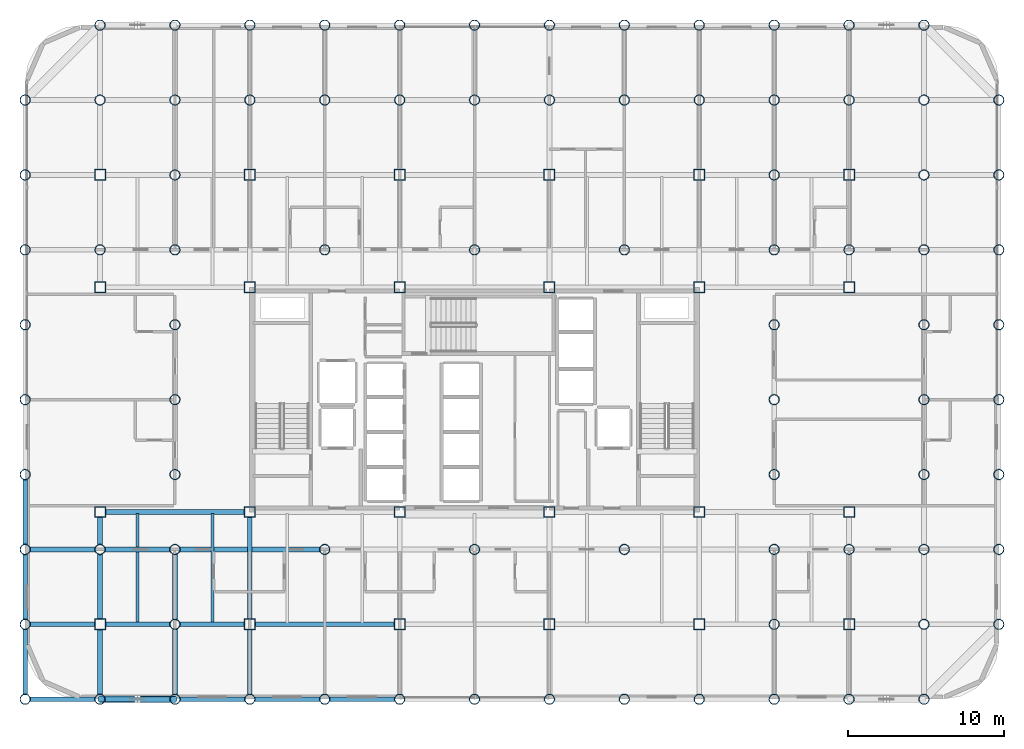
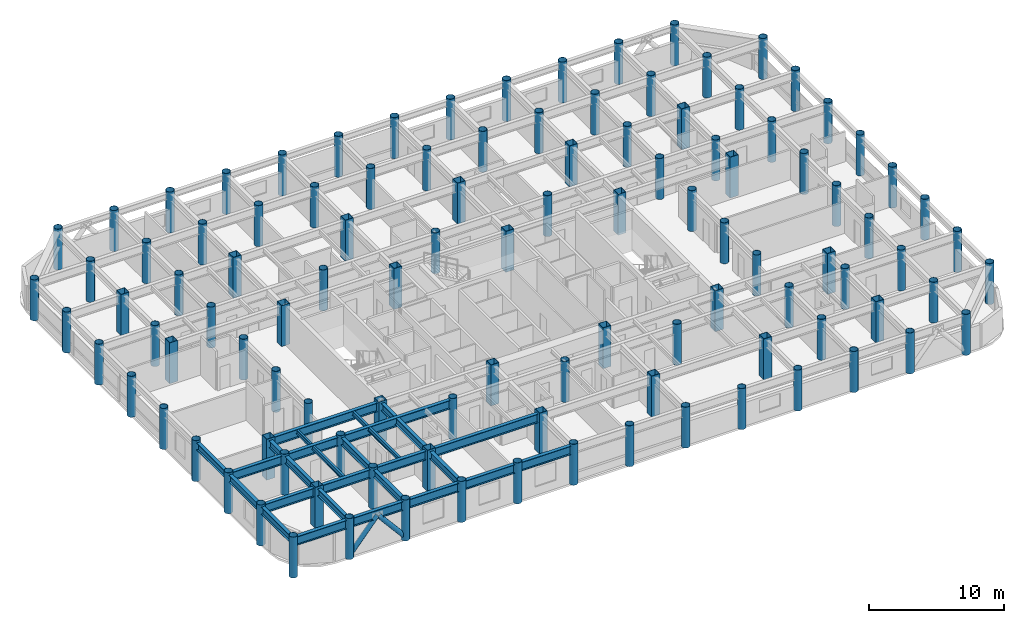
# One storey, part 1 of 22: 108 columns, 25 beams, 2 members.
"""IFC4 building model written with IfcOpenShell, lengths in metres."""

from ifc_helpers import new_model, si_unit, direction, frame, origin, origin_2d, place, context, subcontext, project, spatial, hollow_rectangle, hollow_circle, i_section, extrude, material, material_profile, profile_set, type_object, element, save


model = new_model("IFC4")

# Units and contexts
model_context = context("Model", 3, precision=1e-05, world=origin(), true_north=direction((0.0, 1.0)))
body_context = subcontext(model_context, "Body", "Model", "MODEL_VIEW")
ifc_project = project(units=[si_unit("LENGTHUNIT", "METRE"), si_unit("AREAUNIT", "SQUARE_METRE"), si_unit("VOLUMEUNIT", "CUBIC_METRE"), si_unit("PLANEANGLEUNIT", "RADIAN"), si_unit("MASSUNIT", "GRAM", prefix="KILO")], contexts=[model_context])

# Site, building, storey
site_placement = place(None, origin())
site = spatial("IfcSite", under=ifc_project, at=site_placement, CompositionType="ELEMENT")
building_placement = place(site_placement, origin())
building = spatial("IfcBuilding", under=site, at=building_placement, Name="Kallvorn Hotel Tower", CompositionType="ELEMENT")
storey_placement = place(building_placement, frame((0.0, 0.0, 113.699951171875)))
storey = spatial("IfcBuildingStorey", under=building, at=storey_placement, Name="L27", CompositionType="ELEMENT", Elevation=113.699951171875)

# Columns
ifc_material_1 = material(Name="Structural steel S355J2H", Category="steel")
ifc_material_profile_1 = material_profile(ifc_material_1, hollow_circle(Radius=0.330078125, WallThickness=0.028076171875, at=origin_2d()), Name="CHS 660x28")
ifc_profile_set_1 = profile_set([ifc_material_profile_1], Name="Structural steel S355J2H")
column_type_1 = type_object("IfcColumnType", Name="COL_CHS_660", PredefinedType="COLUMN", material=ifc_profile_set_1)
for number, where, z_axis, x_axis, name in (
    (1, (-28.800048828125, -19.199951171875, 0.0), (0.0, 0.0, 1.0), (1.0, 0.0, 0.0), "L27 Exoskeleton Column EC01"),
    (2, (-28.800048828125, -14.39990234375, 0.0), (0.0, 0.0, 1.0), (1.0, 0.0, 0.0), "L27 Exoskeleton Column EC02"),
    (3, (-28.800048828125, -9.60009765625, 0.0), (0.0, 0.0, 1.0), (1.0, 0.0, 0.0), "L27 Exoskeleton Column EC03"),
    (4, (-28.800048828125, -4.800048828125, 0.0), (0.0, 0.0, 1.0), (1.0, 0.0, 0.0), "L27 Exoskeleton Column EC04"),
    (5, (-28.800048828125, 0.0, 0.0), (0.0, 0.0, 1.0), (1.0, 0.0, 0.0), "L27 Exoskeleton Column EC05"),
    (6, (-28.800048828125, 4.800048828125, 0.0), (0.0, 0.0, 1.0), (1.0, 0.0, 0.0), "L27 Exoskeleton Column EC06"),
    (7, (-28.800048828125, 9.60009765625, 0.0), (0.0, 0.0, 1.0), (1.0, 0.0, 0.0), "L27 Exoskeleton Column EC07"),
    (8, (-28.800048828125, 14.39990234375, 0.0), (0.0, 0.0, 1.0), (1.0, 0.0, 0.0), "L27 Exoskeleton Column EC08"),
    (9, (-28.800048828125, 19.199951171875, 0.0), (0.0, 0.0, 1.0), (1.0, 0.0, 0.0), "L27 Exoskeleton Column EC09"),
    (10, (-24.0, -19.199951171875, 0.0), (0.0, 0.0, 1.0), (1.0, 0.0, 0.0), "L27 Exoskeleton Column EC10"),
    (11, (-24.0, -9.60009765625, 0.0), (0.0, 0.0, 1.0), (1.0, 0.0, 0.0), "L27 Exoskeleton Column EC11"),
    (12, (-24.0, 9.60009765625, 0.0), (0.0, 0.0, 1.0), (1.0, 0.0, 0.0), "L27 Exoskeleton Column EC12"),
    (13, (-24.0, 19.199951171875, 0.0), (0.0, 0.0, 1.0), (1.0, 0.0, 0.0), "L27 Exoskeleton Column EC13"),
    (14, (-24.0, 24.0, 0.0), (0.0, 0.0, 1.0), (1.0, 0.0, 0.0), "L27 Exoskeleton Column EC14"),
    (15, (-19.199951171875, -19.199951171875, 0.0), (0.0, 0.0, 1.0), (1.0, 0.0, 0.0), "L27 Exoskeleton Column EC15"),
    (16, (-19.199951171875, -14.39990234375, 0.0), (0.0, 0.0, 1.0), (1.0, 0.0, 0.0), "L27 Exoskeleton Column EC16"),
    (17, (-19.199951171875, -9.60009765625, 0.0), (0.0, 0.0, 1.0), (1.0, 0.0, 0.0), "L27 Exoskeleton Column EC17"),
    (18, (-19.199951171875, -4.800048828125, 0.0), (0.0, 0.0, 1.0), (1.0, 0.0, 0.0), "L27 Exoskeleton Column EC18"),
    (19, (-19.199951171875, 0.0, 0.0), (0.0, 0.0, 1.0), (1.0, 0.0, 0.0), "L27 Exoskeleton Column EC19"),
    (20, (-19.199951171875, 4.800048828125, 0.0), (0.0, 0.0, 1.0), (1.0, 0.0, 0.0), "L27 Exoskeleton Column EC20"),
    (21, (-19.199951171875, 9.60009765625, 0.0), (0.0, 0.0, 1.0), (1.0, 0.0, 0.0), "L27 Exoskeleton Column EC21"),
    (22, (-19.199951171875, 14.39990234375, 0.0), (0.0, 0.0, 1.0), (1.0, 0.0, 0.0), "L27 Exoskeleton Column EC22"),
    (23, (-19.199951171875, 19.199951171875, 0.0), (0.0, 0.0, 1.0), (1.0, 0.0, 0.0), "L27 Exoskeleton Column EC23"),
    (24, (-19.199951171875, 24.0, 0.0), (0.0, 0.0, 1.0), (1.0, 0.0, 0.0), "L27 Exoskeleton Column EC24"),
    (25, (-14.39990234375, -19.199951171875, 0.0), (0.0, 0.0, 1.0), (1.0, 0.0, 0.0), "L27 Exoskeleton Column EC25"),
    (26, (-14.39990234375, 19.199951171875, 0.0), (0.0, 0.0, 1.0), (1.0, 0.0, 0.0), "L27 Exoskeleton Column EC26"),
    (27, (-14.39990234375, 24.0, 0.0), (0.0, 0.0, 1.0), (1.0, 0.0, 0.0), "L27 Exoskeleton Column EC27"),
    (28, (-9.60009765625, -19.199951171875, 0.0), (0.0, 0.0, 1.0), (1.0, 0.0, 0.0), "L27 Exoskeleton Column EC28"),
    (29, (-9.60009765625, -9.60009765625, 0.0), (0.0, 0.0, 1.0), (1.0, 0.0, 0.0), "L27 Exoskeleton Column EC29"),
    (30, (-9.60009765625, 9.60009765625, 0.0), (0.0, 0.0, 1.0), (1.0, 0.0, 0.0), "L27 Exoskeleton Column EC30"),
    (31, (-9.60009765625, 19.199951171875, 0.0), (0.0, 0.0, 1.0), (1.0, 0.0, 0.0), "L27 Exoskeleton Column EC31"),
    (32, (-9.60009765625, 24.0, 0.0), (0.0, 0.0, 1.0), (1.0, 0.0, 0.0), "L27 Exoskeleton Column EC32"),
    (33, (-4.800048828125, -19.199951171875, 0.0), (0.0, 0.0, 1.0), (1.0, 0.0, 0.0), "L27 Exoskeleton Column EC33"),
    (34, (-4.800048828125, 19.199951171875, 0.0), (0.0, 0.0, 1.0), (1.0, 0.0, 0.0), "L27 Exoskeleton Column EC34"),
    (35, (-4.800048828125, 24.0, 0.0), (0.0, 0.0, 1.0), (1.0, 0.0, 0.0), "L27 Exoskeleton Column EC35"),
    (36, (0.0, -19.199951171875, 0.0), (0.0, 0.0, 1.0), (1.0, 0.0, 0.0), "L27 Exoskeleton Column EC36"),
    (37, (0.0, -9.60009765625, 0.0), (0.0, 0.0, 1.0), (1.0, 0.0, 0.0), "L27 Exoskeleton Column EC37"),
    (38, (0.0, 9.60009765625, 0.0), (0.0, 0.0, 1.0), (1.0, 0.0, 0.0), "L27 Exoskeleton Column EC38"),
    (39, (0.0, 19.199951171875, 0.0), (0.0, 0.0, 1.0), (1.0, 0.0, 0.0), "L27 Exoskeleton Column EC39"),
    (40, (0.0, 24.0, 0.0), (0.0, 0.0, 1.0), (1.0, 0.0, 0.0), "L27 Exoskeleton Column EC40"),
    (41, (4.800048828125, -19.199951171875, 0.0), (0.0, 0.0, 1.0), (1.0, 0.0, 0.0), "L27 Exoskeleton Column EC41"),
    (42, (4.800048828125, 19.199951171875, 0.0), (0.0, 0.0, 1.0), (1.0, 0.0, 0.0), "L27 Exoskeleton Column EC42"),
    (43, (4.800048828125, 24.0, 0.0), (0.0, 0.0, 1.0), (1.0, 0.0, 0.0), "L27 Exoskeleton Column EC43"),
    (44, (9.60009765625, -19.199951171875, 0.0), (0.0, 0.0, 1.0), (1.0, 0.0, 0.0), "L27 Exoskeleton Column EC44"),
    (45, (9.60009765625, -9.60009765625, 0.0), (0.0, 0.0, 1.0), (1.0, 0.0, 0.0), "L27 Exoskeleton Column EC45"),
    (46, (9.60009765625, 9.60009765625, 0.0), (0.0, 0.0, 1.0), (1.0, 0.0, 0.0), "L27 Exoskeleton Column EC46"),
    (47, (9.60009765625, 19.199951171875, 0.0), (0.0, 0.0, 1.0), (1.0, 0.0, 0.0), "L27 Exoskeleton Column EC47"),
    (48, (9.60009765625, 24.0, 0.0), (0.0, 0.0, 1.0), (1.0, 0.0, 0.0), "L27 Exoskeleton Column EC48"),
    (49, (14.39990234375, -19.199951171875, 0.0), (0.0, 0.0, 1.0), (1.0, 0.0, 0.0), "L27 Exoskeleton Column EC49"),
    (50, (14.39990234375, 19.199951171875, 0.0), (0.0, 0.0, 1.0), (1.0, 0.0, 0.0), "L27 Exoskeleton Column EC50"),
    (51, (14.39990234375, 24.0, 0.0), (0.0, 0.0, 1.0), (1.0, 0.0, 0.0), "L27 Exoskeleton Column EC51"),
    (52, (19.199951171875, -19.199951171875, 0.0), (0.0, 0.0, 1.0), (1.0, 0.0, 0.0), "L27 Exoskeleton Column EC52"),
    (53, (19.199951171875, -14.39990234375, 0.0), (0.0, 0.0, 1.0), (1.0, 0.0, 0.0), "L27 Exoskeleton Column EC53"),
    (54, (19.199951171875, -9.60009765625, 0.0), (0.0, 0.0, 1.0), (1.0, 0.0, 0.0), "L27 Exoskeleton Column EC54"),
    (55, (19.199951171875, -4.800048828125, 0.0), (0.0, 0.0, 1.0), (1.0, 0.0, 0.0), "L27 Exoskeleton Column EC55"),
    (56, (19.199951171875, 0.0, 0.0), (0.0, 0.0, 1.0), (1.0, 0.0, 0.0), "L27 Exoskeleton Column EC56"),
    (57, (19.199951171875, 4.800048828125, 0.0), (0.0, 0.0, 1.0), (1.0, 0.0, 0.0), "L27 Exoskeleton Column EC57"),
    (58, (19.199951171875, 9.60009765625, 0.0), (0.0, 0.0, 1.0), (1.0, 0.0, 0.0), "L27 Exoskeleton Column EC58"),
    (59, (19.199951171875, 14.39990234375, 0.0), (0.0, 0.0, 1.0), (1.0, 0.0, 0.0), "L27 Exoskeleton Column EC59"),
    (60, (19.199951171875, 19.199951171875, 0.0), (0.0, 0.0, 1.0), (1.0, 0.0, 0.0), "L27 Exoskeleton Column EC60"),
    (61, (19.199951171875, 24.0, 0.0), (0.0, 0.0, 1.0), (1.0, 0.0, 0.0), "L27 Exoskeleton Column EC61"),
    (62, (24.0, -19.199951171875, 0.0), (0.0, 0.0, 1.0), (1.0, 0.0, 0.0), "L27 Exoskeleton Column EC62"),
    (63, (24.0, -9.60009765625, 0.0), (0.0, 0.0, 1.0), (1.0, 0.0, 0.0), "L27 Exoskeleton Column EC63"),
    (64, (24.0, 9.60009765625, 0.0), (0.0, 0.0, 1.0), (1.0, 0.0, 0.0), "L27 Exoskeleton Column EC64"),
    (65, (24.0, 19.199951171875, 0.0), (0.0, 0.0, 1.0), (1.0, 0.0, 0.0), "L27 Exoskeleton Column EC65"),
    (66, (24.0, 24.0, 0.0), (0.0, 0.0, 1.0), (1.0, 0.0, 0.0), "L27 Exoskeleton Column EC66"),
    (67, (28.800048828125, -19.199951171875, 0.0), (0.0, 0.0, 1.0), (1.0, 0.0, 0.0), "L27 Exoskeleton Column EC67"),
    (68, (28.800048828125, -14.39990234375, 0.0), (0.0, 0.0, 1.0), (1.0, 0.0, 0.0), "L27 Exoskeleton Column EC68"),
    (69, (28.800048828125, -9.60009765625, 0.0), (0.0, 0.0, 1.0), (1.0, 0.0, 0.0), "L27 Exoskeleton Column EC69"),
    (70, (28.800048828125, -4.800048828125, 0.0), (0.0, 0.0, 1.0), (1.0, 0.0, 0.0), "L27 Exoskeleton Column EC70"),
    (71, (28.800048828125, 0.0, 0.0), (0.0, 0.0, 1.0), (1.0, 0.0, 0.0), "L27 Exoskeleton Column EC71"),
    (72, (28.800048828125, 4.800048828125, 0.0), (0.0, 0.0, 1.0), (1.0, 0.0, 0.0), "L27 Exoskeleton Column EC72"),
    (73, (28.800048828125, 9.60009765625, 0.0), (0.0, 0.0, 1.0), (1.0, 0.0, 0.0), "L27 Exoskeleton Column EC73"),
    (74, (28.800048828125, 14.39990234375, 0.0), (0.0, 0.0, 1.0), (1.0, 0.0, 0.0), "L27 Exoskeleton Column EC74"),
    (75, (28.800048828125, 19.199951171875, 0.0), (0.0, 0.0, 1.0), (1.0, 0.0, 0.0), "L27 Exoskeleton Column EC75"),
    (76, (28.800048828125, 24.0, 0.0), (0.0, 0.0, 1.0), (1.0, 0.0, 0.0), "L27 Exoskeleton Column EC76"),
    (77, (33.60009765625, -14.39990234375, 0.0), (0.0, 0.0, 1.0), (1.0, 0.0, 0.0), "L27 Exoskeleton Column EC77"),
    (78, (33.60009765625, -9.60009765625, 0.0), (0.0, 0.0, 1.0), (1.0, 0.0, 0.0), "L27 Exoskeleton Column EC78"),
    (79, (33.60009765625, -4.800048828125, 0.0), (0.0, 0.0, 1.0), (1.0, 0.0, 0.0), "L27 Exoskeleton Column EC79"),
    (80, (33.60009765625, 0.0, 0.0), (0.0, 0.0, 1.0), (1.0, 0.0, 0.0), "L27 Exoskeleton Column EC80"),
    (81, (33.60009765625, 4.800048828125, 0.0), (0.0, 0.0, 1.0), (1.0, 0.0, 0.0), "L27 Exoskeleton Column EC81"),
    (82, (33.60009765625, 9.60009765625, 0.0), (0.0, 0.0, 1.0), (1.0, 0.0, 0.0), "L27 Exoskeleton Column EC82"),
    (83, (33.60009765625, 14.39990234375, 0.0), (0.0, 0.0, 1.0), (1.0, 0.0, 0.0), "L27 Exoskeleton Column EC83"),
    (84, (33.60009765625, 19.199951171875, 0.0), (0.0, 0.0, 1.0), (1.0, 0.0, 0.0), "L27 Exoskeleton Column EC84"),
):
    element("IfcColumn", number, at=place(storey_placement, frame(where, z_axis=z_axis, x_axis=x_axis)), inside=storey, type_object=column_type_1, Name=name, PredefinedType="COLUMN", context=body_context, shape_type="SweptSolid", body=[
        extrude(hollow_circle(Radius=0.330078125, WallThickness=0.028076171875, at=origin_2d()), origin(), (0.0, 0.0, 1.0), 3.699951171875),
    ])
ifc_material_2 = material(Name="Structural steel S355J2H", Category="steel")
ifc_material_profile_2 = material_profile(ifc_material_2, hollow_rectangle(XDim=0.699951171875, YDim=0.699951171875, WallThickness=0.031982421875, at=origin_2d()), Name="RHS 700x700x32")
ifc_profile_set_2 = profile_set([ifc_material_profile_2], Name="Structural steel S355J2H")
column_type_2 = type_object("IfcColumnType", Name="COL_RHS_700", PredefinedType="COLUMN", material=ifc_profile_set_2)
for number, where, z_axis, x_axis, name in (
    (85, (-24.0, -14.39990234375, 0.0), (0.0, 0.0, 1.0), (1.0, 0.0, 0.0), "L27 Inner Column IC01"),
    (86, (-24.0, -7.199951171875, 0.0), (0.0, 0.0, 1.0), (1.0, 0.0, 0.0), "L27 Inner Column IC02"),
    (87, (-24.0, 7.199951171875, 0.0), (0.0, 0.0, 1.0), (1.0, 0.0, 0.0), "L27 Inner Column IC03"),
    (88, (-24.0, 14.39990234375, 0.0), (0.0, 0.0, 1.0), (1.0, 0.0, 0.0), "L27 Inner Column IC04"),
    (89, (-14.39990234375, -14.39990234375, 0.0), (0.0, 0.0, 1.0), (1.0, 0.0, 0.0), "L27 Inner Column IC05"),
    (90, (-14.39990234375, -7.199951171875, 0.0), (0.0, 0.0, 1.0), (1.0, 0.0, 0.0), "L27 Inner Column IC06"),
    (91, (-14.39990234375, 7.199951171875, 0.0), (0.0, 0.0, 1.0), (1.0, 0.0, 0.0), "L27 Inner Column IC07"),
    (92, (-14.39990234375, 14.39990234375, 0.0), (0.0, 0.0, 1.0), (1.0, 0.0, 0.0), "L27 Inner Column IC08"),
    (93, (-4.800048828125, -14.39990234375, 0.0), (0.0, 0.0, 1.0), (1.0, 0.0, 0.0), "L27 Inner Column IC09"),
    (94, (-4.800048828125, -7.199951171875, 0.0), (0.0, 0.0, 1.0), (1.0, 0.0, 0.0), "L27 Inner Column IC10"),
    (95, (-4.800048828125, 7.199951171875, 0.0), (0.0, 0.0, 1.0), (1.0, 0.0, 0.0), "L27 Inner Column IC11"),
    (96, (-4.800048828125, 14.39990234375, 0.0), (0.0, 0.0, 1.0), (1.0, 0.0, 0.0), "L27 Inner Column IC12"),
    (97, (4.800048828125, -14.39990234375, 0.0), (0.0, 0.0, 1.0), (1.0, 0.0, 0.0), "L27 Inner Column IC13"),
    (98, (4.800048828125, -7.199951171875, 0.0), (0.0, 0.0, 1.0), (1.0, 0.0, 0.0), "L27 Inner Column IC14"),
    (99, (4.800048828125, 7.199951171875, 0.0), (0.0, 0.0, 1.0), (1.0, 0.0, 0.0), "L27 Inner Column IC15"),
    (100, (4.800048828125, 14.39990234375, 0.0), (0.0, 0.0, 1.0), (1.0, 0.0, 0.0), "L27 Inner Column IC16"),
    (101, (14.39990234375, -14.39990234375, 0.0), (0.0, 0.0, 1.0), (1.0, 0.0, 0.0), "L27 Inner Column IC17"),
    (102, (14.39990234375, -7.199951171875, 0.0), (0.0, 0.0, 1.0), (1.0, 0.0, 0.0), "L27 Inner Column IC18"),
    (103, (14.39990234375, 7.199951171875, 0.0), (0.0, 0.0, 1.0), (1.0, 0.0, 0.0), "L27 Inner Column IC19"),
    (104, (14.39990234375, 14.39990234375, 0.0), (0.0, 0.0, 1.0), (1.0, 0.0, 0.0), "L27 Inner Column IC20"),
    (105, (24.0, -14.39990234375, 0.0), (0.0, 0.0, 1.0), (1.0, 0.0, 0.0), "L27 Inner Column IC21"),
    (106, (24.0, -7.199951171875, 0.0), (0.0, 0.0, 1.0), (1.0, 0.0, 0.0), "L27 Inner Column IC22"),
    (107, (24.0, 7.199951171875, 0.0), (0.0, 0.0, 1.0), (1.0, 0.0, 0.0), "L27 Inner Column IC23"),
    (108, (24.0, 14.39990234375, 0.0), (0.0, 0.0, 1.0), (1.0, 0.0, 0.0), "L27 Inner Column IC24"),
):
    element("IfcColumn", number, at=place(storey_placement, frame(where, z_axis=z_axis, x_axis=x_axis)), inside=storey, type_object=column_type_2, Name=name, PredefinedType="COLUMN", context=body_context, shape_type="SweptSolid", body=[
        extrude(hollow_rectangle(XDim=0.699951171875, YDim=0.699951171875, WallThickness=0.031982421875, at=origin_2d()), origin(), (0.0, 0.0, 1.0), 3.699951171875),
    ])

# Beams
ifc_material_3 = material(Name="Structural steel S355JR", Category="steel")
ifc_material_profile_3 = material_profile(ifc_material_3, i_section(OverallWidth=0.300048828125, OverallDepth=0.64990234375, WebThickness=0.01611328125, FlangeThickness=0.031005859375, at=origin_2d()), Name="HE 650 B")
ifc_profile_set_3 = profile_set([ifc_material_profile_3], Name="Structural steel S355JR")
beam_type_1 = type_object("IfcBeamType", Name="BM_HE650B", PredefinedType="BEAM", material=ifc_profile_set_3)
for number, where, z_axis, x_axis, name in (
    (109, (-28.800048828125, -18.89501953125, 3.195068359375), (0.0, 1.0, 0.0), (-1.0, 0.0, 0.0), "L28 Primary Y-Girder 73"),
    (110, (-28.800048828125, -14.094970703125, 3.195068359375), (0.0, 1.0, 0.0), (-1.0, 0.0, 0.0), "L28 Primary Y-Girder 74"),
    (111, (-28.800048828125, -9.294921875, 3.195068359375), (0.0, 1.0, 0.0), (-1.0, 0.0, 0.0), "L28 Primary Y-Girder 75"),
):
    element("IfcBeam", number, at=place(storey_placement, frame(where, z_axis=z_axis, x_axis=x_axis)), inside=storey, type_object=beam_type_1, Name=name, PredefinedType="BEAM", context=body_context, shape_type="SweptSolid", body=[
        extrude(i_section(OverallWidth=0.300048828125, OverallDepth=0.64990234375, WebThickness=0.01611328125, FlangeThickness=0.031005859375, at=origin_2d()), origin(), (0.0, 0.0, 1.0), 4.18994140625),
    ])
for number, where, z_axis, x_axis, name in (
    (112, (-24.0, -18.89501953125, 3.195068359375), (0.0, 1.0, 0.0), (-1.0, 0.0, 0.0), "L28 Primary Y-Girder 81"),
    (113, (-24.0, -14.074951171875, 3.195068359375), (0.0, 1.0, 0.0), (-1.0, 0.0, 0.0), "L28 Primary Y-Girder 82"),
):
    element("IfcBeam", number, at=place(storey_placement, frame(where, z_axis=z_axis, x_axis=x_axis)), inside=storey, type_object=beam_type_1, Name=name, PredefinedType="BEAM", context=body_context, shape_type="SweptSolid", body=[
        extrude(i_section(OverallWidth=0.300048828125, OverallDepth=0.64990234375, WebThickness=0.01611328125, FlangeThickness=0.031005859375, at=origin_2d()), origin(), (0.0, 0.0, 1.0), 4.169921875),
    ])
beam_1_placement = place(storey_placement, frame((-24.0, -9.294921875, 3.195068359375), z_axis=(0.0, 1.0, 0.0), x_axis=(-1.0, 0.0, 0.0)))
element("IfcBeam", 114, at=beam_1_placement, inside=storey, type_object=beam_type_1, Name="L28 Primary Y-Girder 83", PredefinedType="BEAM", context=body_context, shape_type="SweptSolid", body=[
    extrude(i_section(OverallWidth=0.300048828125, OverallDepth=0.64990234375, WebThickness=0.01611328125, FlangeThickness=0.031005859375, at=origin_2d()), origin(), (0.0, 0.0, 1.0), 1.77001953125),
])
for number, where, z_axis, x_axis, name in (
    (115, (-19.199951171875, -18.89501953125, 3.195068359375), (0.0, 1.0, 0.0), (-1.0, 0.0, 0.0), "L28 Primary Y-Girder 88"),
    (116, (-19.199951171875, -14.094970703125, 3.195068359375), (0.0, 1.0, 0.0), (-1.0, 0.0, 0.0), "L28 Primary Y-Girder 89"),
):
    element("IfcBeam", number, at=place(storey_placement, frame(where, z_axis=z_axis, x_axis=x_axis)), inside=storey, type_object=beam_type_1, Name=name, PredefinedType="BEAM", context=body_context, shape_type="SweptSolid", body=[
        extrude(i_section(OverallWidth=0.300048828125, OverallDepth=0.64990234375, WebThickness=0.01611328125, FlangeThickness=0.031005859375, at=origin_2d()), origin(), (0.0, 0.0, 1.0), 4.18994140625),
    ])
beam_2_placement = place(storey_placement, frame((-14.39990234375, -18.89501953125, 3.195068359375), z_axis=(0.0, 1.0, 0.0), x_axis=(-1.0, 0.0, 0.0)))
element("IfcBeam", 117, at=beam_2_placement, inside=storey, type_object=beam_type_1, Name="L28 Primary Y-Girder 97", PredefinedType="BEAM", context=body_context, shape_type="SweptSolid", body=[
    extrude(i_section(OverallWidth=0.300048828125, OverallDepth=0.64990234375, WebThickness=0.01611328125, FlangeThickness=0.031005859375, at=origin_2d()), origin(), (0.0, 0.0, 1.0), 4.169921875),
])
beam_3_placement = place(storey_placement, frame((-14.39990234375, -14.074951171875, 3.195068359375), z_axis=(0.0, 1.0, 0.0), x_axis=(-1.0, 0.0, 0.0)))
element("IfcBeam", 118, at=beam_3_placement, inside=storey, type_object=beam_type_1, Name="L28 Primary Y-Girder 98", PredefinedType="BEAM", context=body_context, shape_type="SweptSolid", body=[
    extrude(i_section(OverallWidth=0.300048828125, OverallDepth=0.64990234375, WebThickness=0.01611328125, FlangeThickness=0.031005859375, at=origin_2d()), origin(), (0.0, 0.0, 1.0), 6.550048828125),
])
ifc_material_4 = material(Name="Structural steel S355JR", Category="steel")
ifc_material_profile_4 = material_profile(ifc_material_4, i_section(OverallWidth=0.300048828125, OverallDepth=0.800048828125, WebThickness=0.017578125, FlangeThickness=0.032958984375, at=origin_2d()), Name="HE 800 B")
ifc_profile_set_4 = profile_set([ifc_material_profile_4], Name="Structural steel S355JR")
beam_type_2 = type_object("IfcBeamType", Name="BM_HE800B", PredefinedType="BEAM", material=ifc_profile_set_4)
for number, where, z_axis, x_axis, name in (
    (119, (-28.4951171875, -19.199951171875, 3.1201171875), (1.0, 0.0, 0.0), (0.0, 1.0, 0.0), "L28 Primary X-Girder 01"),
    (120, (-23.695068359375, -19.199951171875, 3.1201171875), (1.0, 0.0, 0.0), (0.0, 1.0, 0.0), "L28 Primary X-Girder 02"),
):
    element("IfcBeam", number, at=place(storey_placement, frame(where, z_axis=z_axis, x_axis=x_axis)), inside=storey, type_object=beam_type_2, Name=name, PredefinedType="BEAM", context=body_context, shape_type="SweptSolid", body=[
        extrude(i_section(OverallWidth=0.300048828125, OverallDepth=0.800048828125, WebThickness=0.017578125, FlangeThickness=0.032958984375, at=origin_2d()), origin(), (0.0, 0.0, 1.0), 4.190185546875),
    ])
for number, where, z_axis, x_axis, name in (
    (121, (-18.89501953125, -19.199951171875, 3.1201171875), (1.0, 0.0, 0.0), (0.0, 1.0, 0.0), "L28 Primary X-Girder 03"),
    (122, (-14.094970703125, -19.199951171875, 3.1201171875), (1.0, 0.0, 0.0), (0.0, 1.0, 0.0), "L28 Primary X-Girder 04"),
    (123, (-9.294921875, -19.199951171875, 3.1201171875), (1.0, 0.0, 0.0), (0.0, 1.0, 0.0), "L28 Primary X-Girder 05"),
):
    element("IfcBeam", number, at=place(storey_placement, frame(where, z_axis=z_axis, x_axis=x_axis)), inside=storey, type_object=beam_type_2, Name=name, PredefinedType="BEAM", context=body_context, shape_type="SweptSolid", body=[
        extrude(i_section(OverallWidth=0.300048828125, OverallDepth=0.800048828125, WebThickness=0.017578125, FlangeThickness=0.032958984375, at=origin_2d()), origin(), (0.0, 0.0, 1.0), 4.18994140625),
    ])
for number, where, z_axis, x_axis, name in (
    (124, (-28.4951171875, -14.39990234375, 3.1201171875), (1.0, 0.0, 0.0), (0.0, 1.0, 0.0), "L28 Primary X-Girder 13"),
    (125, (-23.675048828125, -14.39990234375, 3.1201171875), (1.0, 0.0, 0.0), (0.0, 1.0, 0.0), "L28 Primary X-Girder 14"),
):
    element("IfcBeam", number, at=place(storey_placement, frame(where, z_axis=z_axis, x_axis=x_axis)), inside=storey, type_object=beam_type_2, Name=name, PredefinedType="BEAM", context=body_context, shape_type="SweptSolid", body=[
        extrude(i_section(OverallWidth=0.300048828125, OverallDepth=0.800048828125, WebThickness=0.017578125, FlangeThickness=0.032958984375, at=origin_2d()), origin(), (0.0, 0.0, 1.0), 4.170166015625),
    ])
beam_4_placement = place(storey_placement, frame((-18.89501953125, -14.39990234375, 3.1201171875), z_axis=(1.0, 0.0, 0.0), x_axis=(0.0, 1.0, 0.0)))
element("IfcBeam", 126, at=beam_4_placement, inside=storey, type_object=beam_type_2, Name="L28 Primary X-Girder 15", PredefinedType="BEAM", context=body_context, shape_type="SweptSolid", body=[
    extrude(i_section(OverallWidth=0.300048828125, OverallDepth=0.800048828125, WebThickness=0.017578125, FlangeThickness=0.032958984375, at=origin_2d()), origin(), (0.0, 0.0, 1.0), 4.169921875),
])
beam_5_placement = place(storey_placement, frame((-14.074951171875, -14.39990234375, 3.1201171875), z_axis=(1.0, 0.0, 0.0), x_axis=(0.0, 1.0, 0.0)))
element("IfcBeam", 127, at=beam_5_placement, inside=storey, type_object=beam_type_2, Name="L28 Primary X-Girder 16", PredefinedType="BEAM", context=body_context, shape_type="SweptSolid", body=[
    extrude(i_section(OverallWidth=0.300048828125, OverallDepth=0.800048828125, WebThickness=0.017578125, FlangeThickness=0.032958984375, at=origin_2d()), origin(), (0.0, 0.0, 1.0), 8.949951171875),
])
for number, where, z_axis, x_axis, name in (
    (128, (-28.4951171875, -9.60009765625, 3.1201171875), (1.0, 0.0, 0.0), (0.0, 1.0, 0.0), "L28 Primary X-Girder 23"),
    (129, (-23.695068359375, -9.60009765625, 3.1201171875), (1.0, 0.0, 0.0), (0.0, 1.0, 0.0), "L28 Primary X-Girder 24"),
):
    element("IfcBeam", number, at=place(storey_placement, frame(where, z_axis=z_axis, x_axis=x_axis)), inside=storey, type_object=beam_type_2, Name=name, PredefinedType="BEAM", context=body_context, shape_type="SweptSolid", body=[
        extrude(i_section(OverallWidth=0.300048828125, OverallDepth=0.800048828125, WebThickness=0.017578125, FlangeThickness=0.032958984375, at=origin_2d()), origin(), (0.0, 0.0, 1.0), 4.190185546875),
    ])
beam_6_placement = place(storey_placement, frame((-18.89501953125, -9.60009765625, 3.1201171875), z_axis=(1.0, 0.0, 0.0), x_axis=(0.0, 1.0, 0.0)))
element("IfcBeam", 130, at=beam_6_placement, inside=storey, type_object=beam_type_2, Name="L28 Primary X-Girder 25", PredefinedType="BEAM", context=body_context, shape_type="SweptSolid", body=[
    extrude(i_section(OverallWidth=0.300048828125, OverallDepth=0.800048828125, WebThickness=0.017578125, FlangeThickness=0.032958984375, at=origin_2d()), origin(), (0.0, 0.0, 1.0), 8.989990234375),
])
beam_7_placement = place(storey_placement, frame((-23.675048828125, -7.199951171875, 3.1201171875), z_axis=(1.0, 0.0, 0.0), x_axis=(0.0, 1.0, 0.0)))
element("IfcBeam", 131, at=beam_7_placement, inside=storey, type_object=beam_type_2, Name="L28 Primary X-Girder 32", PredefinedType="BEAM", context=body_context, shape_type="SweptSolid", body=[
    extrude(i_section(OverallWidth=0.300048828125, OverallDepth=0.800048828125, WebThickness=0.017578125, FlangeThickness=0.032958984375, at=origin_2d()), origin(), (0.0, 0.0, 1.0), 8.949951171875),
])
ifc_material_5 = material(Name="Structural steel S355JR", Category="steel")
ifc_material_profile_5 = material_profile(ifc_material_5, i_section(OverallWidth=0.179931640625, OverallDepth=0.39990234375, WebThickness=0.008544921875, FlangeThickness=0.013427734375, at=origin_2d()), Name="IPE 400")
ifc_profile_set_5 = profile_set([ifc_material_profile_5], Name="Structural steel S355JR")
beam_type_3 = type_object("IfcBeamType", Name="BM_IPE400", PredefinedType="JOIST", material=ifc_profile_set_5)
for number, where, z_axis, x_axis, name in (
    (132, (-21.60009765625, -14.300048828125, 3.320068359375), (0.0, 1.0, 0.0), (-1.0, 0.0, 0.0), "L28 Secondary Composite Joist 192"),
    (133, (-16.800048828125, -14.300048828125, 3.320068359375), (0.0, 1.0, 0.0), (-1.0, 0.0, 0.0), "L28 Secondary Composite Joist 194"),
):
    element("IfcBeam", number, at=place(storey_placement, frame(where, z_axis=z_axis, x_axis=x_axis)), inside=storey, type_object=beam_type_3, Name=name, PredefinedType="JOIST", context=body_context, shape_type="SweptSolid", body=[
        extrude(i_section(OverallWidth=0.179931640625, OverallDepth=0.39990234375, WebThickness=0.008544921875, FlangeThickness=0.013427734375, at=origin_2d()), origin(), (0.0, 0.0, 1.0), 7.0),
    ])

# Members
ifc_material_6 = material(Name="Structural steel S355J2H", Category="steel")
ifc_material_profile_6 = material_profile(ifc_material_6, hollow_circle(Radius=0.203125, WallThickness=0.01611328125, at=origin_2d()), Name="CHS 406.4x16")
ifc_profile_set_6 = profile_set([ifc_material_profile_6], Name="Structural steel S355J2H")
member_type = type_object("IfcMemberType", Name="MBR_EXO_CHS406", PredefinedType="BRACE", material=ifc_profile_set_6)
for number, where, z_axis, x_axis, name in (
    (134, (-23.987060546875, -19.199951171875, 0.1953125), (0.646833296797, 0.0, 0.762631422218), (0.0, 1.0, 0.0), "L27 Exoskeleton K-Brace S1A"),
    (135, (-19.212890625, -19.199951171875, 0.1953125), (-0.646833296797, 0.0, 0.762631422218), (0.0, -1.0, 0.0), "L27 Exoskeleton K-Brace S1B"),
):
    element("IfcMember", number, at=place(storey_placement, frame(where, z_axis=z_axis, x_axis=x_axis)), inside=storey, type_object=member_type, Name=name, PredefinedType="BRACE", context=body_context, shape_type="SweptSolid", body=[
        extrude(hollow_circle(Radius=0.203125, WallThickness=0.01611328125, at=origin_2d()), origin(), (0.0, 0.0, 1.0), 3.670654296875),
    ])

save(model, "model.ifc")
